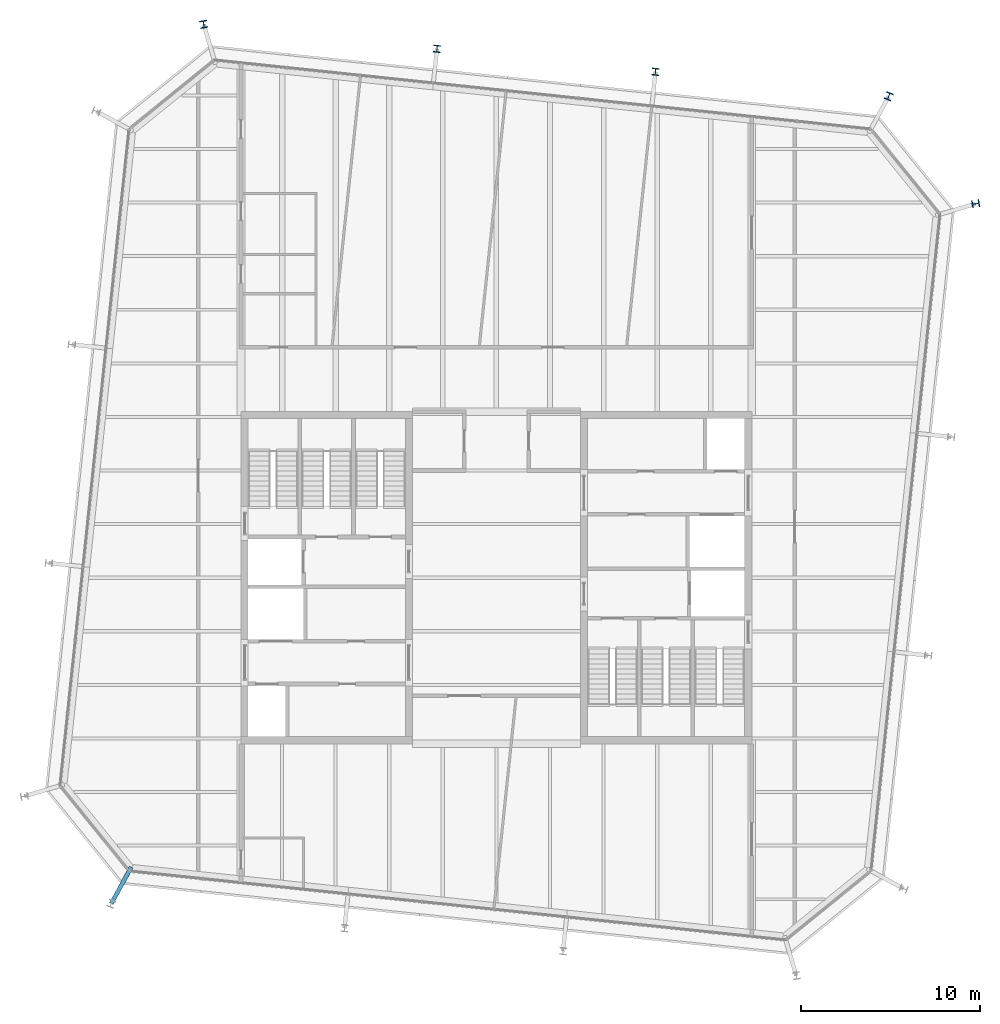
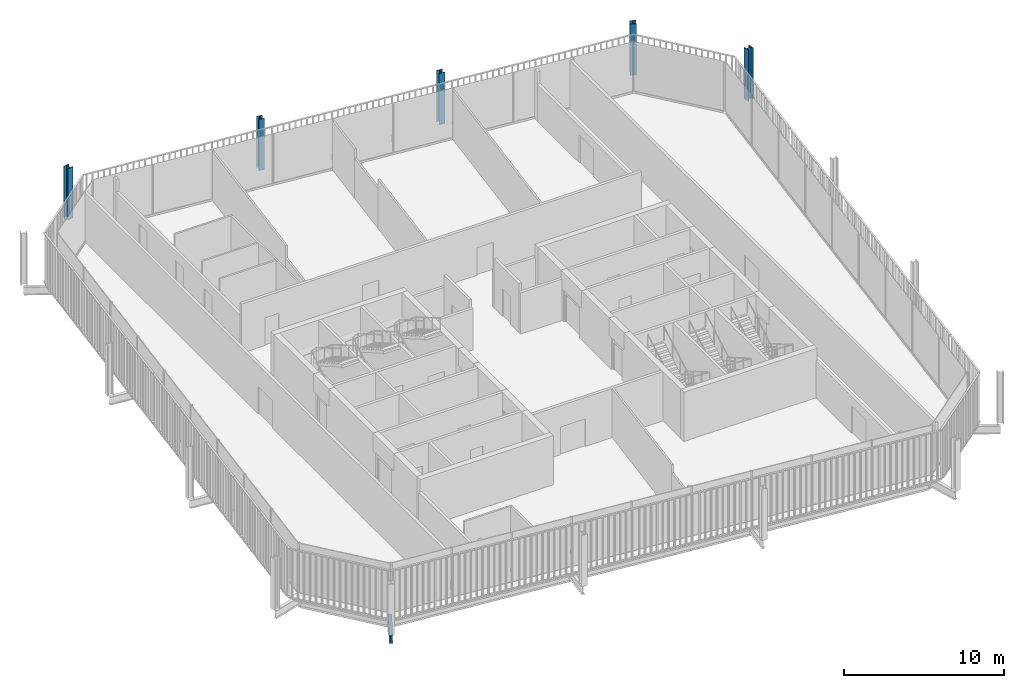
# One storey, part 2 of 20: 5 columns, 1 beam.
"""IFC4 building model written with IfcOpenShell, lengths in metres."""

from ifc_helpers import new_model, si_unit, direction, frame, origin, origin_2d, place, context, subcontext, project, spatial, i_section, extrude, material, material_profile, profile_set, type_object, element, save


model = new_model("IFC4")

# Units and contexts
model_context = context("Model", 3, precision=1e-05, world=origin(), true_north=direction((0.0, 1.0)))
body_context = subcontext(model_context, "Body", "Model", "MODEL_VIEW")
ifc_project = project(units=[si_unit("LENGTHUNIT", "METRE"), si_unit("AREAUNIT", "SQUARE_METRE"), si_unit("VOLUMEUNIT", "CUBIC_METRE"), si_unit("PLANEANGLEUNIT", "RADIAN"), si_unit("MASSUNIT", "GRAM", prefix="KILO")], contexts=[model_context])

# Site, building, storey
site_placement = place(None, origin())
site = spatial("IfcSite", under=ifc_project, at=site_placement, CompositionType="ELEMENT")
building_placement = place(site_placement, origin())
building = spatial("IfcBuilding", under=site, at=building_placement, Name="Millrace Tower", CompositionType="ELEMENT")
storey_placement = place(building_placement, frame((0.0, 0.0, 330.39990234375)))
storey = spatial("IfcBuildingStorey", under=building, at=storey_placement, Name="L76", CompositionType="ELEMENT", Elevation=330.39990234375)

# Columns
ifc_material_1 = material(Name="Steel ASTM A913 Grade 65", Category="steel")
ifc_material_profile_1 = material_profile(ifc_material_1, i_section(OverallWidth=0.4013671875, OverallDepth=0.398681640625, WebThickness=0.02490234375, FlangeThickness=0.03955078125, FilletRadius=0.01513671875, at=origin_2d()))
ifc_profile_set_1 = profile_set([ifc_material_profile_1], Name="Steel ASTM A913 Grade 65")
column_type_1 = type_object("IfcColumnType", Name="Exoskeleton column W14x211", PredefinedType="COLUMN", material=ifc_profile_set_1)
for number, where, z_axis, x_axis, name in (
    (1, (8.9033203125, 28.321533203125, 0.0), (0.0, 0.0, 1.0), (-0.994521897246, 0.104528445407, 0.0), "COL-E-L76-X11"),
    (2, (-3.329345703125, 29.607177734375, 0.0), (0.0, 0.0, 1.0), (-0.994521897246, 0.104528445407, 0.0), "COL-E-L76-X12"),
):
    element("IfcColumn", number, at=place(storey_placement, frame(where, z_axis=z_axis, x_axis=x_axis)), inside=storey, type_object=column_type_1, Name=name, PredefinedType="COLUMN", context=body_context, shape_type="SweptSolid", body=[
        extrude(i_section(OverallWidth=0.4013671875, OverallDepth=0.398681640625, WebThickness=0.02490234375, FlangeThickness=0.03955078125, FilletRadius=0.01513671875, at=origin_2d()), origin(), (0.0, 0.0, 1.0), 3.900146484375),
    ])
ifc_material_2 = material(Name="Steel ASTM A913 Grade 65", Category="steel")
ifc_material_profile_2 = material_profile(ifc_material_2, i_section(OverallWidth=0.406494140625, OverallDepth=0.41650390625, WebThickness=0.030029296875, FlangeThickness=0.048095703125, FilletRadius=0.01513671875, at=origin_2d()))
ifc_profile_set_2 = profile_set([ifc_material_profile_2], Name="Steel ASTM A913 Grade 65")
column_type_2 = type_object("IfcColumnType", Name="Exoskeleton column W14x257", PredefinedType="COLUMN", material=ifc_profile_set_2)
for number, where, z_axis, x_axis, name in (
    (3, (26.82958984375, 20.935791015625, 0.0), (0.0, 0.0, 1.0), (-0.18038747256, 0.983595628164, 0.0), "COL-E-L76-X09"),
    (4, (21.9599609375, 26.94921875, 0.0), (0.0, 0.0, 1.0), (-0.92459700658, 0.380946683176, 0.0), "COL-E-L76-X10"),
    (5, (-16.3857421875, 30.9794921875, 0.0), (0.0, 0.0, 1.0), (-0.983595628164, -0.18038747256, 0.0), "COL-E-L76-X13"),
):
    element("IfcColumn", number, at=place(storey_placement, frame(where, z_axis=z_axis, x_axis=x_axis)), inside=storey, type_object=column_type_2, Name=name, PredefinedType="COLUMN", context=body_context, shape_type="SweptSolid", body=[
        extrude(i_section(OverallWidth=0.406494140625, OverallDepth=0.41650390625, WebThickness=0.030029296875, FlangeThickness=0.048095703125, FilletRadius=0.01513671875, at=origin_2d()), origin(), (0.0, 0.0, 1.0), 3.900146484375),
    ])

# Beam
ifc_material_3 = material(Name="Steel ASTM A992 Grade 50", Category="steel")
ifc_material_profile_3 = material_profile(ifc_material_3, i_section(OverallWidth=0.23046875, OverallDepth=0.6171875, WebThickness=0.01318359375, FlangeThickness=0.022216796875, FilletRadius=0.012939453125, at=origin_2d()))
ifc_profile_set_3 = profile_set([ifc_material_profile_3], Name="Steel ASTM A992 Grade 50")
beam_type = type_object("IfcBeamType", Name="Link beam W24x94", PredefinedType="BEAM", material=ifc_profile_set_3)
beam_placement = place(storey_placement, frame((-20.447509765625, -16.20068359375, -0.468505859375), z_axis=(-0.477163510307, -0.87881453358, 0.0), x_axis=(0.87881453358, -0.477163510307, 0.0)))
element("IfcBeam", 6, at=beam_placement, inside=storey, type_object=beam_type, Name="LNK-E-L76-S1-16", PredefinedType="BEAM", context=body_context, shape_type="SweptSolid", body=[
    extrude(i_section(OverallWidth=0.23046875, OverallDepth=0.6171875, WebThickness=0.01318359375, FlangeThickness=0.022216796875, FilletRadius=0.012939453125, at=origin_2d()), origin(), (0.0, 0.0, 1.0), 2.3310546875),
])

save(model, "model.ifc")
